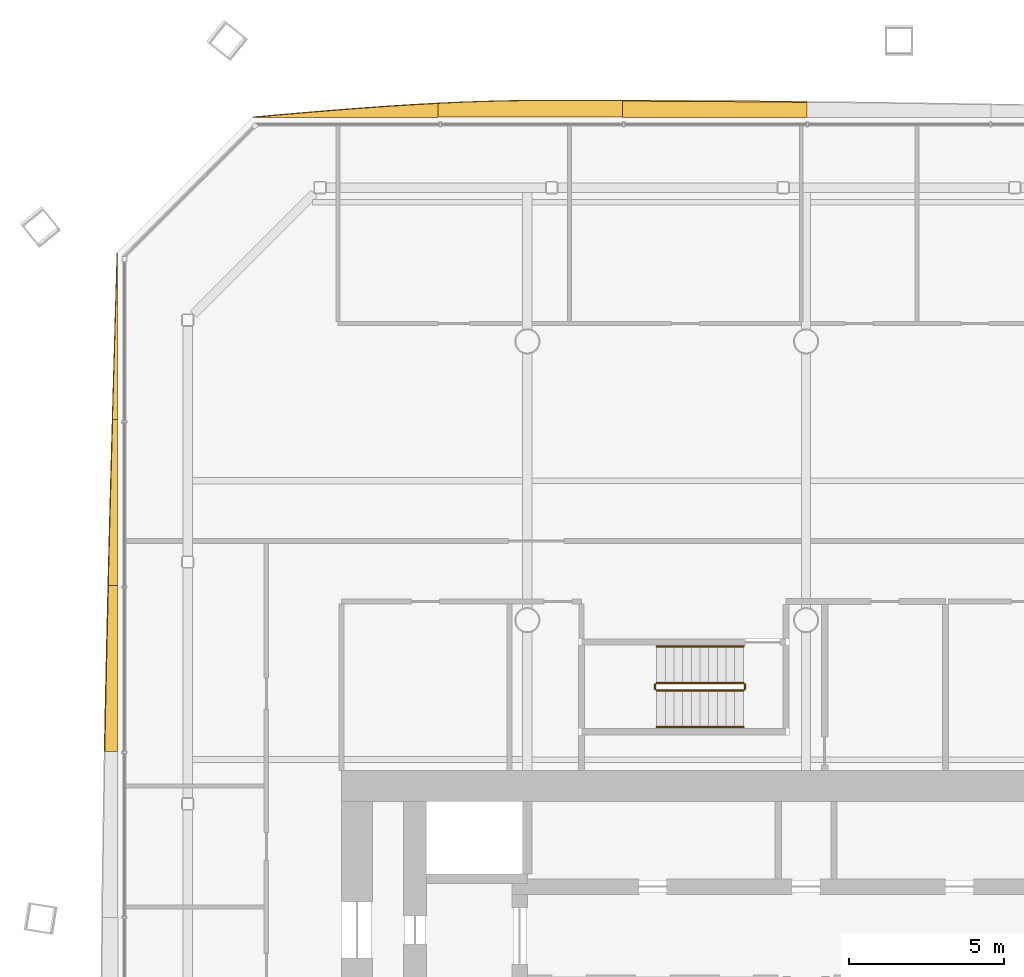
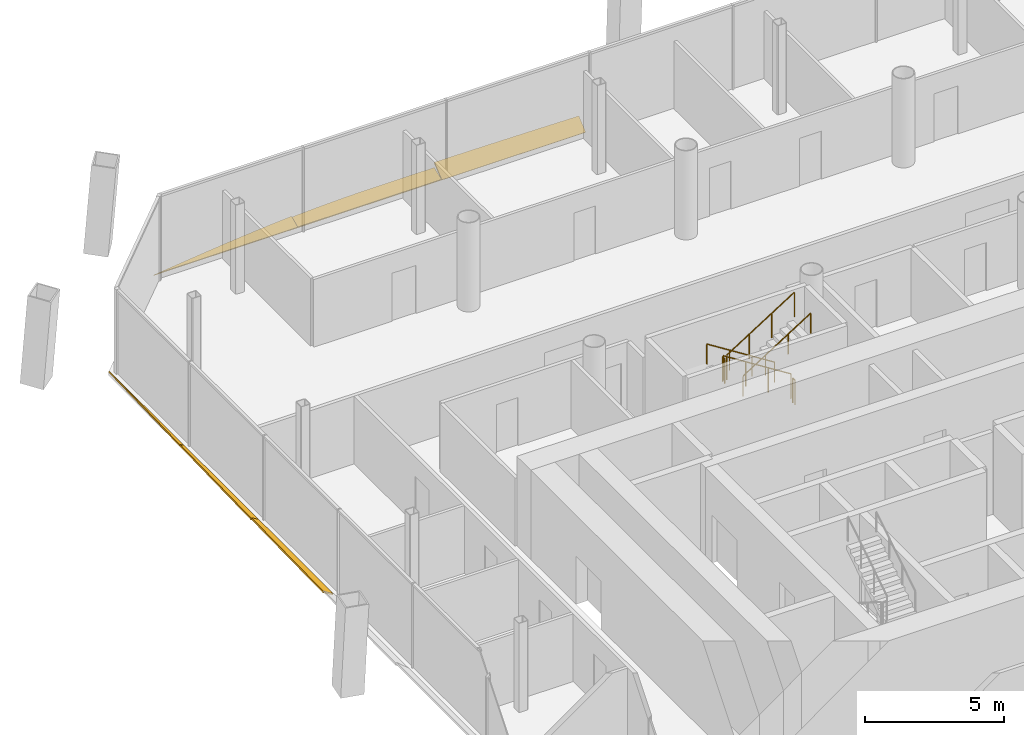
# One storey, part 18 of 19: 6 railings, 6 shading devices.
"""IFC4 building model written with IfcOpenShell, lengths in metres."""

from ifc_helpers import new_model, si_unit, direction, frame, origin, origin_2d, place, context, subcontext, project, spatial, polyline, circle, outline, extrude, material, layer, layer_set, type_object, element, save


model = new_model("IFC4")

# Units and contexts
model_context = context("Model", 3, precision=1e-05, world=origin(), true_north=direction((0.0, 1.0)))
body_context = subcontext(model_context, "Body", "Model", "MODEL_VIEW")
ifc_project = project(units=[si_unit("LENGTHUNIT", "METRE"), si_unit("AREAUNIT", "SQUARE_METRE"), si_unit("VOLUMEUNIT", "CUBIC_METRE"), si_unit("PLANEANGLEUNIT", "RADIAN"), si_unit("MASSUNIT", "GRAM", prefix="KILO")], contexts=[model_context])

# Site, building, storey
site_placement = place(None, origin())
site = spatial("IfcSite", under=ifc_project, at=site_placement, CompositionType="ELEMENT")
building_placement = place(site_placement, origin())
building = spatial("IfcBuilding", under=site, at=building_placement, Name="Tskaro Facet Tower", CompositionType="ELEMENT")
storey_placement = place(building_placement, frame((0.0, 0.0, 81.60009765625)))
storey = spatial("IfcBuildingStorey", under=building, at=storey_placement, Name="L19", CompositionType="ELEMENT", Elevation=81.60009765625)

# Shading devices
ifc_material_1 = material(Name="Bronze anodised aluminium 6063-T6", Category="aluminium")
ifc_layer = layer(ifc_material_1, 0.06005859375, Name="Bronze anodised aluminium 6063-T6")
ifc_layer_set = layer_set([ifc_layer], Name="Bronze anodised aluminium 6063-T6")
shading_device_type = type_object("IfcShadingDeviceType", Name="Bronze sun blade (FN1)", PredefinedType="USERDEFINED", material=ifc_layer_set)
shading_device_1_placement = place(storey_placement, frame((0.021728515625, 25.222412109375, 0.0458984375), z_axis=(6.289429e-06, -0.642749530499, 0.766076393712), x_axis=(-0.99999999998, -4.042527e-06, 4.818183e-06)))
element("IfcShadingDevice", 1, at=shading_device_1_placement, inside=storey, type_object=shading_device_type, Name="Fin blade north 5", ObjectType="FIN", PredefinedType="USERDEFINED", context=body_context, shape_type="SweptSolid", body=[
    extrude(outline(polyline([(0.0, 0.0), (5.956542968632189, 0.0), (5.95654296886892, -0.6992366927516674), (5.2119140619162705, -0.6959540976071646), (4.46752929718377, -0.691609538440217), (3.722900390271221, -0.6864201547178516), (2.9782714849538254, -0.6801688069730413), (2.2336425780813767, -0.6730726346728133), (1.4892578126314997, -0.6654454803613628), (0.7446289057991514, -0.6564425194832721), (-2.356208319477678e-10, -0.6469085765939591), (0.0, 0.0)])), origin(), (0.0, 0.0, -1.0), 0.06005859375),
])
shading_device_2_placement = place(storey_placement, frame((-5.934814453125, 25.240478515625, 0.056396484375), z_axis=(-4.364958e-06, -0.341846221686, 0.93975590485), x_axis=(-0.99999999999, 1.492145e-06, -4.101995e-06)))
element("IfcShadingDevice", 2, at=shading_device_2_placement, inside=storey, type_object=shading_device_type, Name="Fin blade north 6", ObjectType="FIN", PredefinedType="USERDEFINED", context=body_context, shape_type="SweptSolid", body=[
    extrude(outline(polyline([(0.0, 0.0), (5.956542968693256, -1.261347036566798e-21), (5.956542969011957, -0.4751321502465586), (5.212158203229016, -0.5107373431298846), (4.467529296908386, -0.5385415141420333), (3.7229003906750635, -0.5585446632830047), (2.978271484164756, -0.570517357958839), (2.322998047036661, -0.5736043832872231), (2.2336425782875122, -0.5736043832872231), (1.4892578119410171, -0.5731455180993038), (0.7446289062438659, -0.572060870623031), (9.100587393290269e-11, -0.5699750342207026), (0.0, 0.0)])), origin(), (0.0, 0.0, -1.0), 0.06005859375),
])
shading_device_3_placement = place(storey_placement, frame((-11.891357421875, 25.235595703125, 0.05419921875), z_axis=(1.1646477e-05, -0.422760603917, 0.906241398105), x_axis=(-0.999999999932, -4.923672e-06, 1.055452e-05)))
element("IfcShadingDevice", 3, at=shading_device_3_placement, inside=storey, type_object=shading_device_type, Name="Fin blade north 7", ObjectType="FIN", PredefinedType="USERDEFINED", context=body_context, shape_type="SweptSolid", body=[
    extrude(outline(polyline([(0.0, 0.0), (5.956542968346026, 0.0), (5.212158204090309, -0.07252118462012935), (4.467529297489587, -0.14362647841929393), (3.7229003915729835, -0.21287338071479517), (2.9782714846204765, -0.2788460006856682), (2.2338867182864677, -0.3407773742697925), (1.48925781097569, -0.3975760740256252), (0.744628904342544, -0.4484751358910457), (-5.835521527277596e-10, -0.49270759580393336), (0.0, 0.0)])), origin(), (0.0, 0.0, -1.0), 0.06005859375),
])
shading_device_4_placement = place(storey_placement, frame((-22.240478515625, 20.847900390625, 0.056396484375), z_axis=(0.340670170698, 3.650168e-06, 0.940182873054), x_axis=(1.243503e-06, -0.999999999993, 3.431825e-06)))
element("IfcShadingDevice", 4, at=shading_device_4_placement, inside=storey, type_object=shading_device_type, Name="Fin blade west 1", ObjectType="FIN", PredefinedType="USERDEFINED", context=body_context, shape_type="SweptSolid", body=[
    extrude(outline(polyline([(0.0, 0.0), (5.361328124964284, 0.0), (5.361328125035716, -0.1633417544126706), (4.6911621093318425, -0.14333861818092866), (4.020996093627969, -0.12333548194918674), (3.350830078531274, -0.10287327204895853), (2.6806640622931424, -0.08255742755457986), (2.0104980463586, -0.062012046225958066), (1.3403320315654952, -0.04132029949148673), (0.6701660156309528, -0.020774918162864933), (0.0, 0.0)])), origin(), (0.0, 0.0, -1.0), 0.06005859375),
])
shading_device_5_placement = place(storey_placement, frame((-22.235595703125, 15.486572265625, 0.05419921875), z_axis=(0.422942526406, -3.0087314e-05, 0.906156508807), x_axis=(-1.2725204e-05, -0.999999999547, -2.7263815e-05)))
element("IfcShadingDevice", 5, at=shading_device_5_placement, inside=storey, type_object=shading_device_type, Name="Fin blade west 2", ObjectType="FIN", PredefinedType="USERDEFINED", context=body_context, shape_type="SweptSolid", body=[
    extrude(outline(polyline([(0.0, 0.0), (5.3613281225733385, 0.0), (5.361328128513885, -0.32483360597236854), (4.691162108276292, -0.3065890110135695), (4.020996091588164, -0.28801992898548007), (3.350830078449501, -0.26912635988810013), (2.6806640590973596, -0.24979033155770428), (2.0104980432946835, -0.23012981615801795), (1.3403320310414728, -0.2101448136890412), (0.670166015681523, -0.18993858160355648), (-2.7851661634680164e-09, -0.16951111990156376), (0.0, 0.0)])), origin(), (0.0, 0.0, -1.0), 0.06005859375),
])
shading_device_6_placement = place(storey_placement, frame((-22.23095703125, 10.125244140625, 0.0517578125), z_axis=(0.500189548875, 6.412895e-06, 0.865915940005), x_axis=(3.207663e-06, -0.999999999979, 5.553028e-06)))
element("IfcShadingDevice", 6, at=shading_device_6_placement, inside=storey, type_object=shading_device_type, Name="Fin blade west 3", ObjectType="FIN", PredefinedType="USERDEFINED", context=body_context, shape_type="SweptSolid", body=[
    extrude(outline(polyline([(0.0, 0.0), (5.3613281248897575, 0.0), (5.361328124656919, -0.47449237514043574), (4.691162108523793, -0.4595022821627347), (4.020996093956909, -0.44408937866744425), (3.350830078244828, -0.42800943147639786), (2.680664062743269, -0.41138455717867883), (2.0104980466691105, -0.3944261610330817), (1.340332031588595, -0.3767114325220173), (0.6701660159354806, -0.35866318216307486), (-8.628313944660178e-10, -0.3399478881083764), (0.0, 0.0)])), origin(), (0.0, 0.0, -1.0), 0.06005859375),
])

# Railings
ifc_material_2 = material(Name="Stainless steel", Category="steel")
railing_type_1 = type_object("IfcRailingType", Name="RL-GUARD-1100", PredefinedType="GUARDRAIL", material=ifc_material_2)
railing_1_placement = place(storey_placement, frame((-2.02490234375, 6.97509765625, 0.17724609375)))
element("IfcRailing", 7, at=railing_1_placement, inside=storey, type_object=railing_type_1, Name="L19 ST-3 stair guard 1", PredefinedType="GUARDRAIL", context=body_context, shape_type="SweptSolid", body=[
    extrude(circle(Radius=0.02392578125, at=origin_2d()), frame((0.0, 0.0, 1.076171875), z_axis=(-0.844908973607, 0.0, 0.534910110503), x_axis=(0.0, -1.0, 0.0)), (0.0, 0.0, 1.0), 3.31396484375),
    extrude(circle(Radius=0.02099609375, at=origin_2d()), origin(), (0.0, 0.0, 1.0), 1.052001953125),
    extrude(circle(Radius=0.02099609375, at=origin_2d()), frame((-0.933349609375, 0.0, 0.5908203125)), (0.0, 0.0, 1.0), 1.052001953125),
    extrude(circle(Radius=0.02099609375, at=origin_2d()), frame((-1.86669921875, 0.0, 1.181884765625)), (0.0, 0.0, 1.0), 1.052001953125),
    extrude(circle(Radius=0.02099609375, at=origin_2d()), frame((-2.800048828125, 0.0, 1.772705078125)), (0.0, 0.0, 1.0), 1.052001953125),
])
railing_2_placement = place(storey_placement, frame((-4.875, 6.925048828125, 1.949951171875)))
element("IfcRailing", 8, at=railing_2_placement, inside=storey, type_object=railing_type_1, Name="L19 ST-3 stair guard 2", PredefinedType="GUARDRAIL", context=body_context, shape_type="SweptSolid", body=[
    extrude(circle(Radius=0.02392578125, at=origin_2d()), frame((0.0, 0.0, 1.076171875), z_axis=(0.0, -1.0, 0.0), x_axis=(1.0, 0.0, 0.0)), (0.0, 0.0, 1.0), 0.150146484375),
    extrude(circle(Radius=0.02099609375, at=origin_2d()), origin(), (0.0, 0.0, 1.0), 1.052001953125),
    extrude(circle(Radius=0.02099609375, at=origin_2d()), frame((0.0, -0.150146484375, 0.0)), (0.0, 0.0, 1.0), 1.052001953125),
])
railing_3_placement = place(storey_placement, frame((-4.824951171875, 6.72509765625, 2.127197265625)))
element("IfcRailing", 9, at=railing_3_placement, inside=storey, type_object=railing_type_1, Name="L19 ST-3 stair guard 3", PredefinedType="GUARDRAIL", context=body_context, shape_type="SweptSolid", body=[
    extrude(circle(Radius=0.02392578125, at=origin_2d()), frame((0.0, 0.0, 1.076171875), z_axis=(0.844908973607, 0.0, 0.534910110503), x_axis=(0.0, 1.0, 0.0)), (0.0, 0.0, 1.0), 3.31396484375),
    extrude(circle(Radius=0.02099609375, at=origin_2d()), origin(), (0.0, 0.0, 1.0), 1.052001953125),
    extrude(circle(Radius=0.02099609375, at=origin_2d()), frame((0.933349609375, 0.0, 0.5908203125)), (0.0, 0.0, 1.0), 1.052001953125),
    extrude(circle(Radius=0.02099609375, at=origin_2d()), frame((1.86669921875, 0.0, 1.181884765625)), (0.0, 0.0, 1.0), 1.052001953125),
    extrude(circle(Radius=0.02099609375, at=origin_2d()), frame((2.800048828125, 0.0, 1.772705078125)), (0.0, 0.0, 1.0), 1.052001953125),
])
railing_4_placement = place(storey_placement, frame((-1.97509765625, 6.925048828125, 0.0)))
element("IfcRailing", 10, at=railing_4_placement, inside=storey, type_object=railing_type_1, Name="L19 ST-3 stair guard 4", PredefinedType="GUARDRAIL", context=body_context, shape_type="SweptSolid", body=[
    extrude(circle(Radius=0.02392578125, at=origin_2d()), frame((0.0, 0.0, 1.076171875), z_axis=(0.0, -1.0, 0.0), x_axis=(1.0, 0.0, 0.0)), (0.0, 0.0, 1.0), 0.150146484375),
    extrude(circle(Radius=0.02099609375, at=origin_2d()), origin(), (0.0, 0.0, 1.0), 1.052001953125),
    extrude(circle(Radius=0.02099609375, at=origin_2d()), frame((0.0, -0.150146484375, 0.0)), (0.0, 0.0, 1.0), 1.052001953125),
])
railing_type_2 = type_object("IfcRailingType", Name="RL-HANDRAIL-900", PredefinedType="HANDRAIL", material=ifc_material_2)
railing_5_placement = place(storey_placement, frame((-2.02490234375, 8.14990234375, 0.17724609375)))
element("IfcRailing", 11, at=railing_5_placement, inside=storey, type_object=railing_type_2, Name="L19 ST-3 stair handrail 1", PredefinedType="HANDRAIL", context=body_context, shape_type="SweptSolid", body=[
    extrude(circle(Radius=0.02392578125, at=origin_2d()), frame((0.0, 0.0, 0.8759765625), z_axis=(-0.844908973607, 0.0, 0.534910110503), x_axis=(0.0, -1.0, 0.0)), (0.0, 0.0, 1.0), 3.31396484375),
    extrude(circle(Radius=0.02099609375, at=origin_2d()), origin(), (0.0, 0.0, 1.0), 0.851806640625),
    extrude(circle(Radius=0.02099609375, at=origin_2d()), frame((-0.933349609375, 0.0, 0.5908203125)), (0.0, 0.0, 1.0), 0.851806640625),
    extrude(circle(Radius=0.02099609375, at=origin_2d()), frame((-1.86669921875, 0.0, 1.181884765625)), (0.0, 0.0, 1.0), 0.851806640625),
    extrude(circle(Radius=0.02099609375, at=origin_2d()), frame((-2.800048828125, 0.0, 1.772705078125)), (0.0, 0.0, 1.0), 0.851806640625),
])
railing_6_placement = place(storey_placement, frame((-4.824951171875, 5.550048828125, 2.127197265625)))
element("IfcRailing", 12, at=railing_6_placement, inside=storey, type_object=railing_type_2, Name="L19 ST-3 stair handrail 2", PredefinedType="HANDRAIL", context=body_context, shape_type="SweptSolid", body=[
    extrude(circle(Radius=0.02392578125, at=origin_2d()), frame((0.0, 0.0, 0.8759765625), z_axis=(0.844908973607, 0.0, 0.534910110503), x_axis=(0.0, 1.0, 0.0)), (0.0, 0.0, 1.0), 3.31396484375),
    extrude(circle(Radius=0.02099609375, at=origin_2d()), origin(), (0.0, 0.0, 1.0), 0.851806640625),
    extrude(circle(Radius=0.02099609375, at=origin_2d()), frame((0.933349609375, 0.0, 0.5908203125)), (0.0, 0.0, 1.0), 0.851806640625),
    extrude(circle(Radius=0.02099609375, at=origin_2d()), frame((1.86669921875, 0.0, 1.181884765625)), (0.0, 0.0, 1.0), 0.851806640625),
    extrude(circle(Radius=0.02099609375, at=origin_2d()), frame((2.800048828125, 0.0, 1.772705078125)), (0.0, 0.0, 1.0), 0.851806640625),
])

save(model, "model.ifc")
